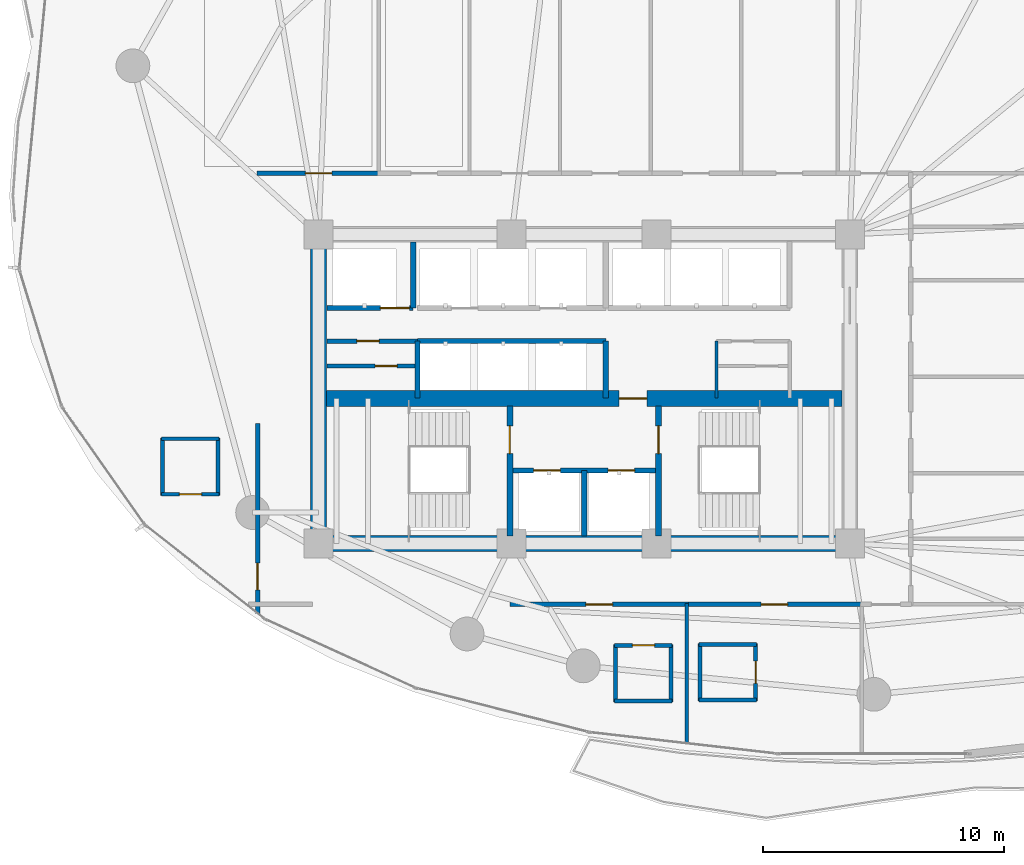
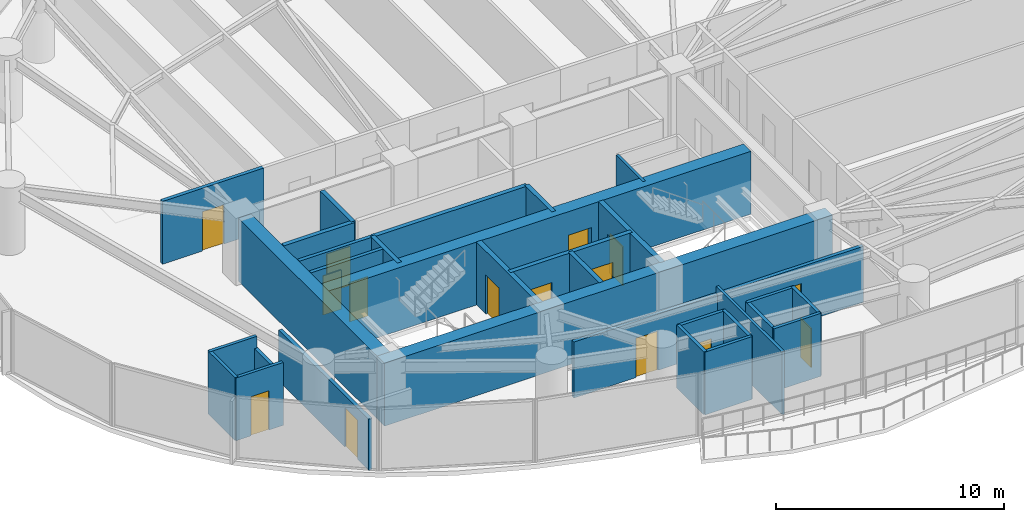
# One storey, part 25 of 32: 32 walls, 15 doors, 15 openings.
"""IFC4 building model written with IfcOpenShell, lengths in metres."""

from ifc_helpers import new_model, si_unit, direction, frame, frame_2d, origin, place, context, subcontext, project, spatial, rectangle, extrude, material, layer, layer_set, type_object, element, fill, save


model = new_model("IFC4")

# Units and contexts
model_context = context("Model", 3, precision=1e-05, world=origin(), true_north=direction((0.0, 1.0)))
body_context = subcontext(model_context, "Body", "Model", "MODEL_VIEW")
ifc_project = project(units=[si_unit("LENGTHUNIT", "METRE"), si_unit("AREAUNIT", "SQUARE_METRE"), si_unit("VOLUMEUNIT", "CUBIC_METRE"), si_unit("PLANEANGLEUNIT", "RADIAN"), si_unit("MASSUNIT", "GRAM", prefix="KILO")], contexts=[model_context])

# Site, building, storey
site_placement = place(None, origin())
site = spatial("IfcSite", under=ifc_project, at=site_placement, CompositionType="ELEMENT")
building_placement = place(site_placement, origin())
building = spatial("IfcBuilding", under=site, at=building_placement, Name="Kazevale Care Tower and Concert Hall", CompositionType="ELEMENT")
storey_placement = place(building_placement, frame((0.0, 0.0, 42.0)))
storey = spatial("IfcBuildingStorey", under=building, at=storey_placement, Name="L10", CompositionType="ELEMENT", Elevation=42.0)

# Walls
ifc_material_1 = material(Name="Acoustic Gypsum on Steel Stud", Category="steel")
ifc_layer_1 = layer(ifc_material_1, 0.139892578125)
ifc_layer_set_1 = layer_set([ifc_layer_1], Name="Acoustic Gypsum on Steel Stud")
wall_type_1 = type_object("IfcWallType", Name="Acoustic Care & Suite Partition 140", PredefinedType="PARTITIONING", material=ifc_layer_set_1)
wall_1_placement = place(storey_placement, frame((38.47998046875, 29.6201171875, 0.0), z_axis=(0.0, 0.0, 1.0), x_axis=(0.0, 1.0, 0.0)))
element("IfcWall", 1, at=wall_1_placement, inside=storey, type_object=wall_type_1, Name="wall:L10:kc_ew", PredefinedType="PARTITIONING", context=body_context, shape_type="SweptSolid", body=[
    extrude(rectangle(XDim=2.35986328125, YDim=0.139892578125, at=frame_2d((1.179931640625, 0.0))), origin(), (0.0, 0.0, 1.0), 3.360107421875),
])
wall_2_placement = place(storey_placement, frame((37.25, 21.10498046875, 0.0), z_axis=(0.0, 0.0, 1.0), x_axis=(0.0, -1.0, 0.0)))
element("IfcWall", 2, at=wall_2_placement, inside=storey, type_object=wall_type_1, Name="wall:L10:auto_032", PredefinedType="PARTITIONING", context=body_context, shape_type="SweptSolid", body=[
    extrude(rectangle(XDim=5.775634765625, YDim=0.139892578125, at=frame_2d((2.8876953125, 0.0))), origin(), (0.0, 0.0, 1.0), 3.360107421875),
])
ifc_material_2 = material(Name="Concrete C70", Category="concrete")
ifc_layer_2 = layer(ifc_material_2, 0.64990234375)
ifc_layer_set_2 = layer_set([ifc_layer_2], Name="Concrete C70")
wall_type_2 = type_object("IfcWallType", Name="Core Shear Wall 650 C70", PredefinedType="SHEAR", material=ifc_layer_set_2)
wall_3_placement = place(storey_placement, frame((21.675048828125, 23.60009765625, 0.0), z_axis=(0.0, 0.0, 1.0), x_axis=(1.0, 0.0, 0.0)))
element("IfcWall", 3, at=wall_3_placement, inside=storey, type_object=wall_type_2, Name="wall:L10:core:S", PredefinedType="SHEAR", context=body_context, shape_type="SweptSolid", body=[
    extrude(rectangle(XDim=22.64990234375, YDim=0.64990234375, at=frame_2d((11.324951171875, 0.0))), origin(), (0.0, 0.0, 1.0), 3.360107421875),
])
wall_4_placement = place(storey_placement, frame((22.0, 23.925048828125, 0.0), z_axis=(0.0, 0.0, 1.0), x_axis=(0.0, 1.0, 0.0)))
element("IfcWall", 4, at=wall_4_placement, inside=storey, type_object=wall_type_2, Name="wall:L10:core:W", PredefinedType="SHEAR", context=body_context, shape_type="SweptSolid", body=[
    extrude(rectangle(XDim=12.14990234375, YDim=0.64990234375, at=frame_2d((6.074951171875, 0.0))), origin(), (0.0, 0.0, 1.0), 3.360107421875),
])

# Wall, opening, door
wall_5_placement = place(storey_placement, frame((22.324951171875, 29.60009765625, 0.0), z_axis=(0.0, 0.0, 1.0), x_axis=(1.0, 0.0, 0.0)))
wall_5 = element("IfcWall", 5, at=wall_5_placement, inside=storey, type_object=wall_type_2, Name="wall:L10:core:M", PredefinedType="SHEAR", context=body_context, shape_type="SweptSolid", body=[
    extrude(rectangle(XDim=21.35009765625, YDim=0.64990234375, at=frame_2d((10.675048828125, 0.0))), origin(), (0.0, 0.0, 1.0), 3.360107421875),
])
opening_1_placement = place(wall_5_placement, frame((12.125, 0.0, 0.0)))
opening_1 = element("IfcOpeningElement", 6, at=opening_1_placement, cuts=wall_5, Name="Opening FD-90", PredefinedType="OPENING", context=body_context, shape_type="SweptSolid", body=[
    extrude(rectangle(XDim=1.14990234375, YDim=2.10009765625, at=frame_2d((0.574951171875, 1.050048828125))), frame((0.0, 0.3349609375, 0.0), z_axis=(0.0, -1.0, 0.0), x_axis=(1.0, 0.0, 0.0)), (0.0, 0.0, 1.0), 0.669921875),
])
ifc_material_3 = material(Name="Steel ASTM A572 Gr 50", Category="steel")
door_type_1 = type_object("IfcDoorType", Name="Pressurized Stair & Lobby Fire Door 1150x2100", OperationType="NOTDEFINED", PredefinedType="DOOR", material=ifc_material_3)
door_1_placement = place(opening_1_placement, origin())
door_1 = element("IfcDoor", 7, at=door_1_placement, inside=storey, type_object=door_type_1, Name="door:L10:ff_to_pax", OperationType="SINGLE_SWING_LEFT", OverallHeight=2.10009765625, OverallWidth=1.14990234375, PredefinedType="DOOR", context=body_context, shape_type="SweptSolid", body=[
    extrude(rectangle(XDim=1.14990234375, YDim=2.10009765625, at=frame_2d((0.574951171875, 1.050048828125))), frame((0.0, 0.02490234375, 0.0), z_axis=(0.0, -1.0, 0.0), x_axis=(1.0, 0.0, 0.0)), (0.0, 0.0, 1.0), 0.050048828125),
])
fill(opening_1, door_1)

# Wall, openings, doors
ifc_material_4 = material(Name="Concrete C40", Category="concrete")
ifc_layer_3 = layer(ifc_material_4, 0.219970703125)
ifc_layer_set_3 = layer_set([ifc_layer_3], Name="Concrete C40")
wall_type_3 = type_object("IfcWallType", Name="Elevator Hoistway Shaft Wall 220", PredefinedType="SOLIDWALL", material=ifc_layer_set_3)
wall_6_placement = place(storey_placement, frame((29.919921875, 26.6201171875, 0.0), z_axis=(0.0, 0.0, 1.0), x_axis=(1.0, 0.0, 0.0)))
wall_6 = element("IfcWall", 8, at=wall_6_placement, inside=storey, type_object=wall_type_3, Name="wall:L10:c_ffl_n", PredefinedType="SOLIDWALL", context=body_context, shape_type="SweptSolid", body=[
    extrude(rectangle(XDim=6.16015625, YDim=0.219970703125, at=frame_2d((3.080078125, 0.0))), origin(), (0.0, 0.0, 1.0), 3.360107421875),
])
opening_2_placement = place(wall_6_placement, frame((0.989990234375, 0.0, 0.0)))
opening_2 = element("IfcOpeningElement", 9, at=opening_2_placement, cuts=wall_6, Name="Opening LD-FF", PredefinedType="OPENING", context=body_context, shape_type="SweptSolid", body=[
    extrude(rectangle(XDim=1.10009765625, YDim=2.10009765625, at=frame_2d((0.550048828125, 1.050048828125))), frame((0.0, 0.119873046875, 0.0), z_axis=(0.0, -1.0, 0.0), x_axis=(1.0, 0.0, 0.0)), (0.0, 0.0, 1.0), 0.239990234375),
])
opening_3_placement = place(wall_6_placement, frame((4.070068359375, 0.0, 0.0)))
opening_3 = element("IfcOpeningElement", 10, at=opening_3_placement, cuts=wall_6, Name="Opening LD-FF", PredefinedType="OPENING", context=body_context, shape_type="SweptSolid", body=[
    extrude(rectangle(XDim=1.10009765625, YDim=2.10009765625, at=frame_2d((0.550048828125, 1.050048828125))), frame((0.0, 0.119873046875, 0.0), z_axis=(0.0, -1.0, 0.0), x_axis=(1.0, 0.0, 0.0)), (0.0, 0.0, 1.0), 0.239990234375),
])
ifc_material_5 = material(Name="Stainless Steel 316", Category="steel")
door_type_2 = type_object("IfcDoorType", Name="Emergency Lift Sliding Landing Door 1100x2100", OperationType="NOTDEFINED", PredefinedType="DOOR", material=ifc_material_5)
door_2_placement = place(opening_2_placement, origin())
door_2 = element("IfcDoor", 11, at=door_2_placement, inside=storey, type_object=door_type_2, Name="door:L10:ld_ffl1", OperationType="SLIDING_TO_LEFT", OverallHeight=2.10009765625, OverallWidth=1.10009765625, PredefinedType="DOOR", context=body_context, shape_type="SweptSolid", body=[
    extrude(rectangle(XDim=1.10009765625, YDim=2.10009765625, at=frame_2d((0.550048828125, 1.050048828125))), frame((0.0, 0.02490234375, 0.0), z_axis=(0.0, -1.0, 0.0), x_axis=(1.0, 0.0, 0.0)), (0.0, 0.0, 1.0), 0.050048828125),
])
fill(opening_2, door_2)
door_3_placement = place(opening_3_placement, origin())
door_3 = element("IfcDoor", 12, at=door_3_placement, inside=storey, type_object=door_type_2, Name="door:L10:ld_ffl2", OperationType="SLIDING_TO_RIGHT", OverallHeight=2.10009765625, OverallWidth=1.10009765625, PredefinedType="DOOR", context=body_context, shape_type="SweptSolid", body=[
    extrude(rectangle(XDim=1.10009765625, YDim=2.10009765625, at=frame_2d((0.550048828125, 1.050048828125))), frame((0.0, 0.02490234375, 0.0), z_axis=(0.0, -1.0, 0.0), x_axis=(1.0, 0.0, 0.0)), (0.0, 0.0, 1.0), 0.050048828125),
])
fill(opening_3, door_3)

# Walls
wall_7_placement = place(storey_placement, frame((33.0, 23.89990234375, 0.0), z_axis=(0.0, 0.0, 1.0), x_axis=(0.0, 1.0, 0.0)))
element("IfcWall", 13, at=wall_7_placement, inside=storey, type_object=wall_type_3, Name="wall:L10:c_ffl_m", PredefinedType="SOLIDWALL", context=body_context, shape_type="SweptSolid", body=[
    extrude(rectangle(XDim=2.72021484375, YDim=0.219970703125, at=frame_2d((1.360107421875, 0.0))), origin(), (0.0, 0.0, 1.0), 3.360107421875),
])
wall_8_placement = place(storey_placement, frame((25.919921875, 33.35009765625, 0.0), z_axis=(0.0, 0.0, 1.0), x_axis=(0.0, 1.0, 0.0)))
element("IfcWall", 14, at=wall_8_placement, inside=storey, type_object=wall_type_3, Name="wall:L10:c_svl_e", PredefinedType="SOLIDWALL", context=body_context, shape_type="SweptSolid", body=[
    extrude(rectangle(XDim=2.72998046875, YDim=0.219970703125, at=frame_2d((1.364990234375, 0.0))), origin(), (0.0, 0.0, 1.0), 3.360107421875),
])

# Wall, opening, door
wall_9_placement = place(storey_placement, frame((22.35009765625, 33.35009765625, 0.0), z_axis=(0.0, 0.0, 1.0), x_axis=(1.0, 0.0, 0.0)))
wall_9 = element("IfcWall", 15, at=wall_9_placement, inside=storey, type_object=wall_type_3, Name="wall:L10:c_svl_s", PredefinedType="SOLIDWALL", context=body_context, shape_type="SweptSolid", body=[
    extrude(rectangle(XDim=3.56982421875, YDim=0.219970703125, at=frame_2d((1.784912109375, 0.0))), origin(), (0.0, 0.0, 1.0), 3.360107421875),
])
opening_4_placement = place(wall_9_placement, frame((2.212890625, 0.0, 0.0)))
opening_4 = element("IfcOpeningElement", 16, at=opening_4_placement, cuts=wall_9, Name="Opening LD-SV", PredefinedType="OPENING", context=body_context, shape_type="SweptSolid", body=[
    extrude(rectangle(XDim=1.199951171875, YDim=2.10009765625, at=frame_2d((0.60009765625, 1.050048828125))), frame((0.0, 0.119873046875, 0.0), z_axis=(0.0, -1.0, 0.0), x_axis=(1.0, 0.0, 0.0)), (0.0, 0.0, 1.0), 0.239990234375),
])
door_type_3 = type_object("IfcDoorType", Name="Service Lift Sliding Landing Door 1200x2100", OperationType="NOTDEFINED", PredefinedType="DOOR", material=ifc_material_5)
door_4_placement = place(opening_4_placement, origin())
door_4 = element("IfcDoor", 17, at=door_4_placement, inside=storey, type_object=door_type_3, Name="door:L10:ld_svl1", OperationType="SLIDING_TO_LEFT", OverallHeight=2.10009765625, OverallWidth=1.199951171875, PredefinedType="DOOR", context=body_context, shape_type="SweptSolid", body=[
    extrude(rectangle(XDim=1.199951171875, YDim=2.10009765625, at=frame_2d((0.60009765625, 1.050048828125))), frame((0.0, 0.02490234375, 0.0), z_axis=(0.0, -1.0, 0.0), x_axis=(1.0, 0.0, 0.0)), (0.0, 0.0, 1.0), 0.050048828125),
])
fill(opening_4, door_4)

# Walls
wall_10_placement = place(storey_placement, frame((26.10009765625, 29.6201171875, 0.0), z_axis=(0.0, 0.0, 1.0), x_axis=(0.0, 1.0, 0.0)))
element("IfcWall", 18, at=wall_10_placement, inside=storey, type_object=wall_type_3, Name="wall:L10:c_ph_w", PredefinedType="SOLIDWALL", context=body_context, shape_type="SweptSolid", body=[
    extrude(rectangle(XDim=2.35986328125, YDim=0.219970703125, at=frame_2d((1.179931640625, 0.0))), origin(), (0.0, 0.0, 1.0), 3.360107421875),
])
wall_11_placement = place(storey_placement, frame((26.10009765625, 31.97998046875, 0.0), z_axis=(0.0, 0.0, 1.0), x_axis=(1.0, 0.0, 0.0)))
element("IfcWall", 19, at=wall_11_placement, inside=storey, type_object=wall_type_3, Name="wall:L10:c_ph_n", PredefinedType="SOLIDWALL", context=body_context, shape_type="SweptSolid", body=[
    extrude(rectangle(XDim=7.7998046875, YDim=0.219970703125, at=frame_2d((3.89990234375, 0.0))), origin(), (0.0, 0.0, 1.0), 3.360107421875),
])
wall_12_placement = place(storey_placement, frame((33.89990234375, 29.6201171875, 0.0), z_axis=(0.0, 0.0, 1.0), x_axis=(0.0, 1.0, 0.0)))
element("IfcWall", 20, at=wall_12_placement, inside=storey, type_object=wall_type_3, Name="wall:L10:c_ph_e", PredefinedType="SOLIDWALL", context=body_context, shape_type="SweptSolid", body=[
    extrude(rectangle(XDim=2.35986328125, YDim=0.219970703125, at=frame_2d((1.179931640625, 0.0))), origin(), (0.0, 0.0, 1.0), 3.360107421875),
])

# Wall, opening, door
ifc_material_6 = material(Name="Concrete C40 and Acoustic Gypsum", Category="concrete")
ifc_layer_4 = layer(ifc_material_6, 0.179931640625)
ifc_layer_set_4 = layer_set([ifc_layer_4], Name="Concrete C40 and Acoustic Gypsum")
wall_type_4 = type_object("IfcWallType", Name="Fire-Rated Corridor & Party Wall 180", PredefinedType="PARTITIONING", material=ifc_layer_set_4)
wall_13_placement = place(storey_placement, frame((22.35009765625, 30.949951171875, 0.0), z_axis=(0.0, 0.0, 1.0), x_axis=(1.0, 0.0, 0.0)))
wall_13 = element("IfcWall", 21, at=wall_13_placement, inside=storey, type_object=wall_type_4, Name="wall:L10:kc_wm", PredefinedType="PARTITIONING", context=body_context, shape_type="SweptSolid", body=[
    extrude(rectangle(XDim=3.75, YDim=0.179931640625, at=frame_2d((1.875, 0.0))), origin(), (0.0, 0.0, 1.0), 3.360107421875),
])
opening_5_placement = place(wall_13_placement, frame((1.988037109375, 0.0, 0.0)))
opening_5 = element("IfcOpeningElement", 22, at=opening_5_placement, cuts=wall_13, Name="Opening ID-900", PredefinedType="OPENING", context=body_context, shape_type="SweptSolid", body=[
    extrude(rectangle(XDim=0.919921875, YDim=2.10009765625, at=frame_2d((0.4599609375, 1.050048828125))), frame((0.0, 0.099853515625, 0.0), z_axis=(0.0, -1.0, 0.0), x_axis=(1.0, 0.0, 0.0)), (0.0, 0.0, 1.0), 0.199951171875),
])
ifc_material_7 = material(Name="Oak Timber Fire Leaf", Category="wood")
door_type_4 = type_object("IfcDoorType", Name="Bathroom & Service Door 920x2100", OperationType="NOTDEFINED", PredefinedType="DOOR", material=ifc_material_7)
door_5_placement = place(opening_5_placement, origin())
door_5 = element("IfcDoor", 23, at=door_5_placement, inside=storey, type_object=door_type_4, Name="door:L10:d_kcwb", OperationType="SINGLE_SWING_RIGHT", OverallHeight=2.10009765625, OverallWidth=0.919921875, PredefinedType="DOOR", context=body_context, shape_type="SweptSolid", body=[
    extrude(rectangle(XDim=0.919921875, YDim=2.10009765625, at=frame_2d((0.4599609375, 1.050048828125))), frame((0.0, 0.02490234375, 0.0), z_axis=(0.0, -1.0, 0.0), x_axis=(1.0, 0.0, 0.0)), (0.0, 0.0, 1.0), 0.050048828125),
])
fill(opening_5, door_5)

wall_14_placement = place(storey_placement, frame((22.35009765625, 31.97998046875, 0.0), z_axis=(0.0, 0.0, 1.0), x_axis=(1.0, 0.0, 0.0)))
wall_14 = element("IfcWall", 24, at=wall_14_placement, inside=storey, type_object=wall_type_4, Name="wall:L10:kc_wn", PredefinedType="PARTITIONING", context=body_context, shape_type="SweptSolid", body=[
    extrude(rectangle(XDim=3.75, YDim=0.179931640625, at=frame_2d((1.875, 0.0))), origin(), (0.0, 0.0, 1.0), 3.360107421875),
])
opening_6_placement = place(wall_14_placement, frame((1.238037109375, 0.0, 0.0)))
opening_6 = element("IfcOpeningElement", 25, at=opening_6_placement, cuts=wall_14, Name="Opening ID-900", PredefinedType="OPENING", context=body_context, shape_type="SweptSolid", body=[
    extrude(rectangle(XDim=0.919921875, YDim=2.10009765625, at=frame_2d((0.4599609375, 1.050048828125))), frame((0.0, 0.099853515625, 0.0), z_axis=(0.0, -1.0, 0.0), x_axis=(1.0, 0.0, 0.0)), (0.0, 0.0, 1.0), 0.199951171875),
])
door_6_placement = place(opening_6_placement, origin())
door_6 = element("IfcDoor", 26, at=door_6_placement, inside=storey, type_object=door_type_4, Name="door:L10:d_kcwt", OperationType="SINGLE_SWING_LEFT", OverallHeight=2.10009765625, OverallWidth=0.919921875, PredefinedType="DOOR", context=body_context, shape_type="SweptSolid", body=[
    extrude(rectangle(XDim=0.919921875, YDim=2.10009765625, at=frame_2d((0.4599609375, 1.050048828125))), frame((0.0, 0.02490234375, 0.0), z_axis=(0.0, -1.0, 0.0), x_axis=(1.0, 0.0, 0.0)), (0.0, 0.0, 1.0), 0.050048828125),
])
fill(opening_6, door_6)

wall_15_placement = place(storey_placement, frame((19.445068359375, 38.925048828125, 0.0), z_axis=(0.0, 0.0, 1.0), x_axis=(1.0, 0.0, 0.0)))
wall_15 = element("IfcWall", 27, at=wall_15_placement, inside=storey, type_object=wall_type_4, Name="wall:L10:auto_001", PredefinedType="PARTITIONING", context=body_context, shape_type="SweptSolid", body=[
    extrude(rectangle(XDim=5.119873046875, YDim=0.179931640625, at=frame_2d((2.56005859375, 0.0))), origin(), (0.0, 0.0, 1.0), 3.360107421875),
])
opening_7_placement = place(wall_15_placement, frame((2.010009765625, 0.0, 0.0)))
opening_7 = element("IfcOpeningElement", 28, at=opening_7_placement, cuts=wall_15, Name="Opening ID-1100", PredefinedType="OPENING", context=body_context, shape_type="SweptSolid", body=[
    extrude(rectangle(XDim=1.10009765625, YDim=2.10009765625, at=frame_2d((0.550048828125, 1.050048828125))), frame((0.0, 0.099853515625, 0.0), z_axis=(0.0, -1.0, 0.0), x_axis=(1.0, 0.0, 0.0)), (0.0, 0.0, 1.0), 0.199951171875),
])
door_type_5 = type_object("IfcDoorType", Name="Care Bedroom Accessible Door 1100x2100", OperationType="NOTDEFINED", PredefinedType="DOOR", material=ifc_material_7)
door_7_placement = place(opening_7_placement, origin())
door_7 = element("IfcDoor", 29, at=door_7_placement, inside=storey, type_object=door_type_5, Name="door:L10:ad_001", OperationType="SINGLE_SWING_LEFT", OverallHeight=2.10009765625, OverallWidth=1.10009765625, PredefinedType="DOOR", context=body_context, shape_type="SweptSolid", body=[
    extrude(rectangle(XDim=1.10009765625, YDim=2.10009765625, at=frame_2d((0.550048828125, 1.050048828125))), frame((0.0, 0.02490234375, 0.0), z_axis=(0.0, -1.0, 0.0), x_axis=(1.0, 0.0, 0.0)), (0.0, 0.0, 1.0), 0.050048828125),
])
fill(opening_7, door_7)

wall_16_placement = place(storey_placement, frame((37.31494140625, 21.074951171875, 0.0), z_axis=(0.0, 0.0, 1.0), x_axis=(-1.0, 0.0, 0.0)))
wall_16 = element("IfcWall", 30, at=wall_16_placement, inside=storey, type_object=wall_type_4, Name="wall:L10:auto_014", PredefinedType="PARTITIONING", context=body_context, shape_type="SweptSolid", body=[
    extrude(rectangle(XDim=7.3798828125, YDim=0.179931640625, at=frame_2d((3.68994140625, 0.0))), origin(), (0.0, 0.0, 1.0), 2.99609375),
])
opening_8_placement = place(wall_16_placement, frame((3.139892578125, 0.0, 0.0)))
opening_8 = element("IfcOpeningElement", 31, at=opening_8_placement, cuts=wall_16, Name="Opening ID-1100", PredefinedType="OPENING", context=body_context, shape_type="SweptSolid", body=[
    extrude(rectangle(XDim=1.10009765625, YDim=2.10009765625, at=frame_2d((0.550048828125, 1.050048828125))), frame((0.0, 0.099853515625, 0.0), z_axis=(0.0, -1.0, 0.0), x_axis=(1.0, 0.0, 0.0)), (0.0, 0.0, 1.0), 0.199951171875),
])
door_8_placement = place(opening_8_placement, origin())
door_8 = element("IfcDoor", 32, at=door_8_placement, inside=storey, type_object=door_type_5, Name="door:L10:ad_014", OperationType="SINGLE_SWING_LEFT", OverallHeight=2.10009765625, OverallWidth=1.10009765625, PredefinedType="DOOR", context=body_context, shape_type="SweptSolid", body=[
    extrude(rectangle(XDim=1.10009765625, YDim=2.10009765625, at=frame_2d((0.550048828125, 1.050048828125))), frame((0.0, 0.02490234375, 0.0), z_axis=(0.0, -1.0, 0.0), x_axis=(1.0, 0.0, 0.0)), (0.0, 0.0, 1.0), 0.050048828125),
])
fill(opening_8, door_8)

wall_17_placement = place(storey_placement, frame((44.56494140625, 21.074951171875, 0.0), z_axis=(0.0, 0.0, 1.0), x_axis=(-1.0, 0.0, 0.0)))
wall_17 = element("IfcWall", 33, at=wall_17_placement, inside=storey, type_object=wall_type_4, Name="wall:L10:auto_015", PredefinedType="PARTITIONING", context=body_context, shape_type="SweptSolid", body=[
    extrude(rectangle(XDim=7.3798828125, YDim=0.179931640625, at=frame_2d((3.68994140625, 0.0))), origin(), (0.0, 0.0, 1.0), 2.99609375),
])
opening_9_placement = place(wall_17_placement, frame((3.139892578125, 0.0, 0.0)))
opening_9 = element("IfcOpeningElement", 34, at=opening_9_placement, cuts=wall_17, Name="Opening ID-1100", PredefinedType="OPENING", context=body_context, shape_type="SweptSolid", body=[
    extrude(rectangle(XDim=1.10009765625, YDim=2.10009765625, at=frame_2d((0.550048828125, 1.050048828125))), frame((0.0, 0.099853515625, 0.0), z_axis=(0.0, -1.0, 0.0), x_axis=(1.0, 0.0, 0.0)), (0.0, 0.0, 1.0), 0.199951171875),
])
door_9_placement = place(opening_9_placement, origin())
door_9 = element("IfcDoor", 35, at=door_9_placement, inside=storey, type_object=door_type_5, Name="door:L10:ad_015", OperationType="SINGLE_SWING_LEFT", OverallHeight=2.10009765625, OverallWidth=1.10009765625, PredefinedType="DOOR", context=body_context, shape_type="SweptSolid", body=[
    extrude(rectangle(XDim=1.10009765625, YDim=2.10009765625, at=frame_2d((0.550048828125, 1.050048828125))), frame((0.0, 0.02490234375, 0.0), z_axis=(0.0, -1.0, 0.0), x_axis=(1.0, 0.0, 0.0)), (0.0, 0.0, 1.0), 0.050048828125),
])
fill(opening_9, door_9)

wall_18_placement = place(storey_placement, frame((19.47509765625, 20.695068359375, 0.0), z_axis=(0.0, 0.0, 1.0), x_axis=(0.0, 1.0, 0.0)))
wall_18 = element("IfcWall", 36, at=wall_18_placement, inside=storey, type_object=wall_type_4, Name="wall:L10:auto_017", PredefinedType="PARTITIONING", context=body_context, shape_type="SweptSolid", body=[
    extrude(rectangle(XDim=7.869873046875, YDim=0.179931640625, at=frame_2d((3.93505859375, 0.0))), origin(), (0.0, 0.0, 1.0), 2.738037109375),
])
opening_10_placement = place(wall_18_placement, frame((0.985107421875, 0.0, 0.0)))
opening_10 = element("IfcOpeningElement", 37, at=opening_10_placement, cuts=wall_18, Name="Opening ID-1100", PredefinedType="OPENING", context=body_context, shape_type="SweptSolid", body=[
    extrude(rectangle(XDim=1.10009765625, YDim=2.10009765625, at=frame_2d((0.550048828125, 1.050048828125))), frame((0.0, 0.099853515625, 0.0), z_axis=(0.0, -1.0, 0.0), x_axis=(1.0, 0.0, 0.0)), (0.0, 0.0, 1.0), 0.199951171875),
])
door_10_placement = place(opening_10_placement, origin())
door_10 = element("IfcDoor", 38, at=door_10_placement, inside=storey, type_object=door_type_5, Name="door:L10:ad_017", OperationType="SINGLE_SWING_LEFT", OverallHeight=2.10009765625, OverallWidth=1.10009765625, PredefinedType="DOOR", context=body_context, shape_type="SweptSolid", body=[
    extrude(rectangle(XDim=1.10009765625, YDim=2.10009765625, at=frame_2d((0.550048828125, 1.050048828125))), frame((0.0, 0.02490234375, 0.0), z_axis=(0.0, -1.0, 0.0), x_axis=(1.0, 0.0, 0.0)), (0.0, 0.0, 1.0), 0.050048828125),
])
fill(opening_10, door_10)

# Wall
ifc_layer_5 = layer(ifc_material_1, 0.159912109375)
ifc_layer_set_5 = layer_set([ifc_layer_5], Name="Acoustic Gypsum on Steel Stud")
wall_type_5 = type_object("IfcWallType", Name="Moisture-Resistant Bathroom Plumbing Wall 160", PredefinedType="PLUMBINGWALL", material=ifc_layer_set_5)
wall_19_placement = place(storey_placement, frame((34.260009765625, 17.080078125, 0.0), z_axis=(0.0, 0.0, 1.0), x_axis=(1.0, 0.0, 0.0)))
element("IfcWall", 39, at=wall_19_placement, inside=storey, type_object=wall_type_5, Name="wall:L10:sb2a_ens_ws", PredefinedType="PLUMBINGWALL", context=body_context, shape_type="SweptSolid", body=[
    extrude(rectangle(XDim=2.3798828125, YDim=0.159912109375, at=frame_2d((1.18994140625, 0.0))), origin(), (0.0, 0.0, 1.0), 3.360107421875),
])

# Wall, opening, door
wall_20_placement = place(storey_placement, frame((34.260009765625, 19.3798828125, 0.0), z_axis=(0.0, 0.0, 1.0), x_axis=(1.0, 0.0, 0.0)))
wall_20 = element("IfcWall", 40, at=wall_20_placement, inside=storey, type_object=wall_type_5, Name="wall:L10:sb2a_ens_wn", PredefinedType="PLUMBINGWALL", context=body_context, shape_type="SweptSolid", body=[
    extrude(rectangle(XDim=2.3798828125, YDim=0.159912109375, at=frame_2d((1.18994140625, 0.0))), origin(), (0.0, 0.0, 1.0), 3.360107421875),
])
opening_11_placement = place(wall_20_placement, frame((0.739990234375, 0.0, 0.0)))
opening_11 = element("IfcOpeningElement", 41, at=opening_11_placement, cuts=wall_20, Name="Opening ID-900", PredefinedType="OPENING", context=body_context, shape_type="SweptSolid", body=[
    extrude(rectangle(XDim=0.919921875, YDim=2.10009765625, at=frame_2d((0.4599609375, 1.050048828125))), frame((0.0, 0.08984375, 0.0), z_axis=(0.0, -1.0, 0.0), x_axis=(1.0, 0.0, 0.0)), (0.0, 0.0, 1.0), 0.179931640625),
])
door_11_placement = place(opening_11_placement, origin())
door_11 = element("IfcDoor", 42, at=door_11_placement, inside=storey, type_object=door_type_4, Name="door:L10:sb2a_ens_d", OperationType="SINGLE_SWING_RIGHT", OverallHeight=2.10009765625, OverallWidth=0.919921875, PredefinedType="DOOR", context=body_context, shape_type="SweptSolid", body=[
    extrude(rectangle(XDim=0.919921875, YDim=2.10009765625, at=frame_2d((0.4599609375, 1.050048828125))), frame((0.0, 0.02490234375, 0.0), z_axis=(0.0, -1.0, 0.0), x_axis=(1.0, 0.0, 0.0)), (0.0, 0.0, 1.0), 0.050048828125),
])
fill(opening_11, door_11)

# Walls
for number, where, z_axis, x_axis, name in (
    (43, (34.300048828125, 17.0400390625, 0.0), (0.0, 0.0, 1.0), (0.0, 1.0, 0.0), "wall:L10:sb2a_ens_ww"),
    (44, (36.60009765625, 17.0400390625, 0.0), (0.0, 0.0, 1.0), (0.0, 1.0, 0.0), "wall:L10:sb2a_ens_we"),
    (45, (37.760009765625, 17.10888671875, 0.0), (0.0, 0.0, 1.0), (1.0, 0.0, 0.0), "wall:L10:sb2b_ens_ws"),
    (46, (37.760009765625, 19.408935546875, 0.0), (0.0, 0.0, 1.0), (1.0, 0.0, 0.0), "wall:L10:sb2b_ens_wn"),
    (47, (37.800048828125, 17.069091796875, 0.0), (0.0, 0.0, 1.0), (0.0, 1.0, 0.0), "wall:L10:sb2b_ens_ww"),
):
    element("IfcWall", number, at=place(storey_placement, frame(where, z_axis=z_axis, x_axis=x_axis)), inside=storey, type_object=wall_type_5, Name=name, PredefinedType="PLUMBINGWALL", context=body_context, shape_type="SweptSolid", body=[
        extrude(rectangle(XDim=2.3798828125, YDim=0.159912109375, at=frame_2d((1.18994140625, 0.0))), origin(), (0.0, 0.0, 1.0), 3.360107421875),
    ])

# Wall, opening, door
wall_21_placement = place(storey_placement, frame((40.10009765625, 17.069091796875, 0.0), z_axis=(0.0, 0.0, 1.0), x_axis=(0.0, 1.0, 0.0)))
wall_21 = element("IfcWall", 48, at=wall_21_placement, inside=storey, type_object=wall_type_5, Name="wall:L10:sb2b_ens_we", PredefinedType="PLUMBINGWALL", context=body_context, shape_type="SweptSolid", body=[
    extrude(rectangle(XDim=2.3798828125, YDim=0.159912109375, at=frame_2d((1.18994140625, 0.0))), origin(), (0.0, 0.0, 1.0), 3.360107421875),
])
opening_12_placement = place(wall_21_placement, frame((0.739990234375, 0.0, 0.0)))
opening_12 = element("IfcOpeningElement", 49, at=opening_12_placement, cuts=wall_21, Name="Opening ID-900", PredefinedType="OPENING", context=body_context, shape_type="SweptSolid", body=[
    extrude(rectangle(XDim=0.919921875, YDim=2.10009765625, at=frame_2d((0.4599609375, 1.050048828125))), frame((0.0, 0.08984375, 0.0), z_axis=(0.0, -1.0, 0.0), x_axis=(1.0, 0.0, 0.0)), (0.0, 0.0, 1.0), 0.179931640625),
])
door_12_placement = place(opening_12_placement, origin())
door_12 = element("IfcDoor", 50, at=door_12_placement, inside=storey, type_object=door_type_4, Name="door:L10:sb2b_ens_d", OperationType="SINGLE_SWING_LEFT", OverallHeight=2.10009765625, OverallWidth=0.919921875, PredefinedType="DOOR", context=body_context, shape_type="SweptSolid", body=[
    extrude(rectangle(XDim=0.919921875, YDim=2.10009765625, at=frame_2d((0.4599609375, 1.050048828125))), frame((0.0, 0.02490234375, 0.0), z_axis=(0.0, -1.0, 0.0), x_axis=(1.0, 0.0, 0.0)), (0.0, 0.0, 1.0), 0.050048828125),
])
fill(opening_12, door_12)

wall_22_placement = place(storey_placement, frame((15.4970703125, 25.634033203125, 0.0), z_axis=(0.0, 0.0, 1.0), x_axis=(1.0, 0.0, 0.0)))
wall_22 = element("IfcWall", 51, at=wall_22_placement, inside=storey, type_object=wall_type_5, Name="wall:L10:wb1_ens_ws", PredefinedType="PLUMBINGWALL", context=body_context, shape_type="SweptSolid", body=[
    extrude(rectangle(XDim=2.3798828125, YDim=0.159912109375, at=frame_2d((1.18994140625, 0.0))), origin(), (0.0, 0.0, 1.0), 3.360107421875),
])
opening_13_placement = place(wall_22_placement, frame((0.739990234375, 0.0, 0.0)))
opening_13 = element("IfcOpeningElement", 52, at=opening_13_placement, cuts=wall_22, Name="Opening ID-900", PredefinedType="OPENING", context=body_context, shape_type="SweptSolid", body=[
    extrude(rectangle(XDim=0.919921875, YDim=2.10009765625, at=frame_2d((0.4599609375, 1.050048828125))), frame((0.0, 0.08984375, 0.0), z_axis=(0.0, -1.0, 0.0), x_axis=(1.0, 0.0, 0.0)), (0.0, 0.0, 1.0), 0.179931640625),
])
door_13_placement = place(opening_13_placement, origin())
door_13 = element("IfcDoor", 53, at=door_13_placement, inside=storey, type_object=door_type_4, Name="door:L10:wb1_ens_d", OperationType="SINGLE_SWING_RIGHT", OverallHeight=2.10009765625, OverallWidth=0.919921875, PredefinedType="DOOR", context=body_context, shape_type="SweptSolid", body=[
    extrude(rectangle(XDim=0.919921875, YDim=2.10009765625, at=frame_2d((0.4599609375, 1.050048828125))), frame((0.0, 0.02490234375, 0.0), z_axis=(0.0, -1.0, 0.0), x_axis=(1.0, 0.0, 0.0)), (0.0, 0.0, 1.0), 0.050048828125),
])
fill(opening_13, door_13)

# Walls
wall_23_placement = place(storey_placement, frame((15.4970703125, 27.93408203125, 0.0), z_axis=(0.0, 0.0, 1.0), x_axis=(1.0, 0.0, 0.0)))
element("IfcWall", 54, at=wall_23_placement, inside=storey, type_object=wall_type_5, Name="wall:L10:wb1_ens_wn", PredefinedType="PLUMBINGWALL", context=body_context, shape_type="SweptSolid", body=[
    extrude(rectangle(XDim=2.3798828125, YDim=0.159912109375, at=frame_2d((1.18994140625, 0.0))), origin(), (0.0, 0.0, 1.0), 3.360107421875),
])
wall_24_placement = place(storey_placement, frame((15.537109375, 25.593994140625, 0.0), z_axis=(0.0, 0.0, 1.0), x_axis=(0.0, 1.0, 0.0)))
element("IfcWall", 55, at=wall_24_placement, inside=storey, type_object=wall_type_5, Name="wall:L10:wb1_ens_ww", PredefinedType="PLUMBINGWALL", context=body_context, shape_type="SweptSolid", body=[
    extrude(rectangle(XDim=2.380126953125, YDim=0.159912109375, at=frame_2d((1.18994140625, 0.0))), origin(), (0.0, 0.0, 1.0), 3.360107421875),
])
wall_25_placement = place(storey_placement, frame((17.8369140625, 25.593994140625, 0.0), z_axis=(0.0, 0.0, 1.0), x_axis=(0.0, 1.0, 0.0)))
element("IfcWall", 56, at=wall_25_placement, inside=storey, type_object=wall_type_5, Name="wall:L10:wb1_ens_we", PredefinedType="PLUMBINGWALL", context=body_context, shape_type="SweptSolid", body=[
    extrude(rectangle(XDim=2.380126953125, YDim=0.159912109375, at=frame_2d((1.18994140625, 0.0))), origin(), (0.0, 0.0, 1.0), 2.738037109375),
])

# Wall, opening, door
ifc_layer_6 = layer(ifc_material_4, 0.25)
ifc_layer_set_6 = layer_set([ifc_layer_6], Name="Concrete C40")
wall_type_6 = type_object("IfcWallType", Name="Pressurized Stair Shaft Wall 250", PredefinedType="SOLIDWALL", material=ifc_layer_set_6)
wall_26_placement = place(storey_placement, frame((29.919921875, 23.89990234375, 0.0), z_axis=(0.0, 0.0, 1.0), x_axis=(0.0, 1.0, 0.0)))
wall_26 = element("IfcWall", 57, at=wall_26_placement, inside=storey, type_object=wall_type_6, Name="wall:L10:c_st1_e", PredefinedType="SOLIDWALL", context=body_context, shape_type="SweptSolid", body=[
    extrude(rectangle(XDim=5.400146484375, YDim=0.25, at=frame_2d((2.7001953125, 0.0))), origin(), (0.0, 0.0, 1.0), 3.360107421875),
])
opening_14_placement = place(wall_26_placement, frame((3.4208984375, 0.0, 0.0)))
opening_14 = element("IfcOpeningElement", 58, at=opening_14_placement, cuts=wall_26, Name="Opening FD-90", PredefinedType="OPENING", context=body_context, shape_type="SweptSolid", body=[
    extrude(rectangle(XDim=1.14990234375, YDim=2.10009765625, at=frame_2d((0.574951171875, 1.050048828125))), frame((0.0, 0.135009765625, 0.0), z_axis=(0.0, -1.0, 0.0), x_axis=(1.0, 0.0, 0.0)), (0.0, 0.0, 1.0), 0.27001953125),
])
door_14_placement = place(opening_14_placement, origin())
door_14 = element("IfcDoor", 59, at=door_14_placement, inside=storey, type_object=door_type_1, Name="door:L10:st1", OperationType="SINGLE_SWING_RIGHT", OverallHeight=2.10009765625, OverallWidth=1.14990234375, PredefinedType="DOOR", context=body_context, shape_type="SweptSolid", body=[
    extrude(rectangle(XDim=1.14990234375, YDim=2.10009765625, at=frame_2d((0.574951171875, 1.050048828125))), frame((0.0, 0.02490234375, 0.0), z_axis=(0.0, -1.0, 0.0), x_axis=(1.0, 0.0, 0.0)), (0.0, 0.0, 1.0), 0.050048828125),
])
fill(opening_14, door_14)

wall_27_placement = place(storey_placement, frame((36.080078125, 23.89990234375, 0.0), z_axis=(0.0, 0.0, 1.0), x_axis=(0.0, 1.0, 0.0)))
wall_27 = element("IfcWall", 60, at=wall_27_placement, inside=storey, type_object=wall_type_6, Name="wall:L10:c_st2_w", PredefinedType="SOLIDWALL", context=body_context, shape_type="SweptSolid", body=[
    extrude(rectangle(XDim=5.400146484375, YDim=0.25, at=frame_2d((2.7001953125, 0.0))), origin(), (0.0, 0.0, 1.0), 3.360107421875),
])
opening_15_placement = place(wall_27_placement, frame((3.4208984375, 0.0, 0.0)))
opening_15 = element("IfcOpeningElement", 61, at=opening_15_placement, cuts=wall_27, Name="Opening FD-90", PredefinedType="OPENING", context=body_context, shape_type="SweptSolid", body=[
    extrude(rectangle(XDim=1.14990234375, YDim=2.10009765625, at=frame_2d((0.574951171875, 1.050048828125))), frame((0.0, 0.135009765625, 0.0), z_axis=(0.0, -1.0, 0.0), x_axis=(1.0, 0.0, 0.0)), (0.0, 0.0, 1.0), 0.27001953125),
])
door_15_placement = place(opening_15_placement, origin())
door_15 = element("IfcDoor", 62, at=door_15_placement, inside=storey, type_object=door_type_1, Name="door:L10:st2", OperationType="SINGLE_SWING_LEFT", OverallHeight=2.10009765625, OverallWidth=1.14990234375, PredefinedType="DOOR", context=body_context, shape_type="SweptSolid", body=[
    extrude(rectangle(XDim=1.14990234375, YDim=2.10009765625, at=frame_2d((0.574951171875, 1.050048828125))), frame((0.0, 0.02490234375, 0.0), z_axis=(0.0, -1.0, 0.0), x_axis=(1.0, 0.0, 0.0)), (0.0, 0.0, 1.0), 0.050048828125),
])
fill(opening_15, door_15)

save(model, "model.ifc")
